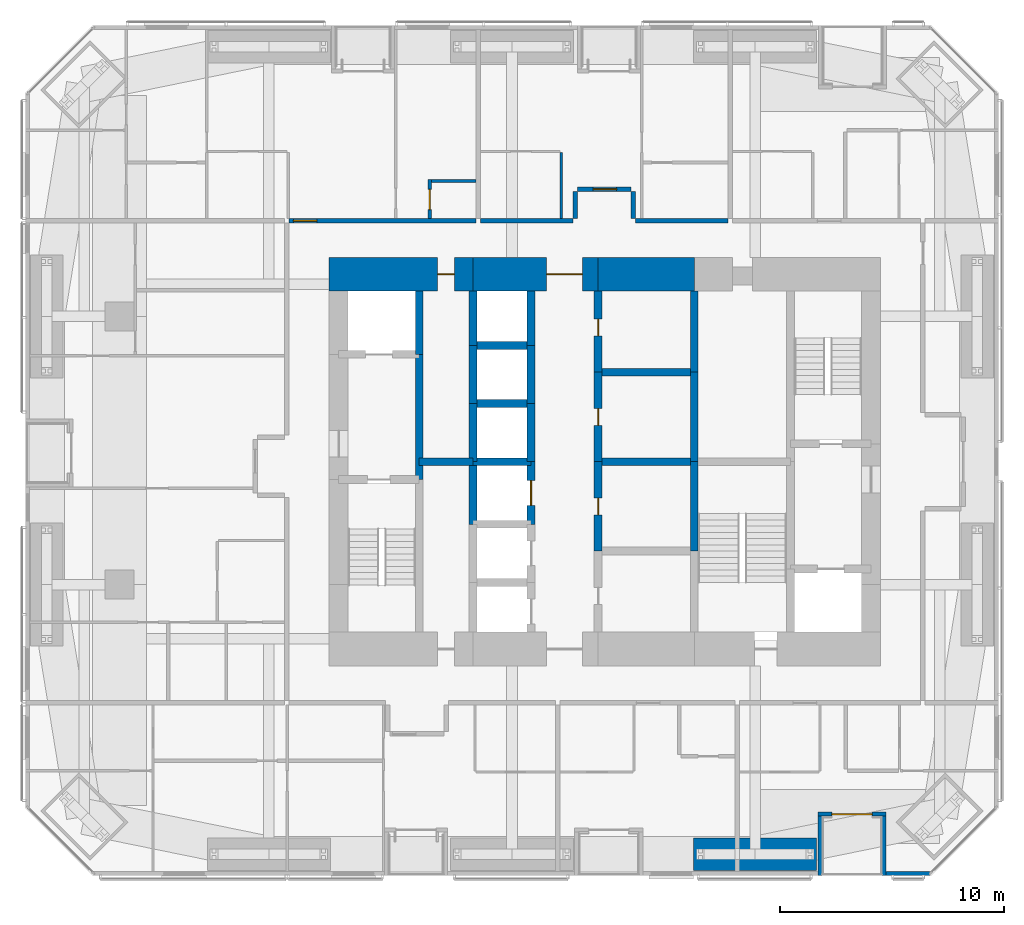
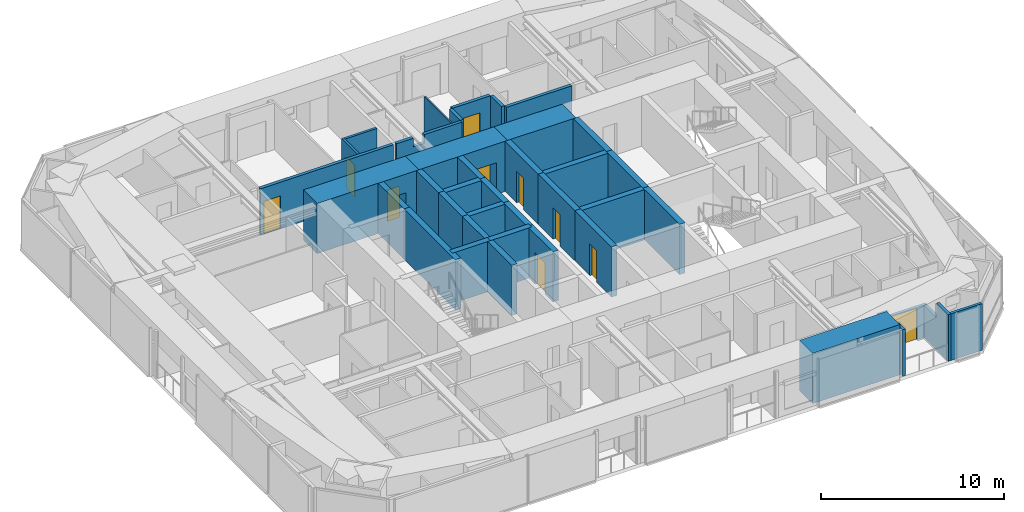
# One storey, part 19 of 23: 40 walls, 10 doors, 10 openings.
"""IFC4 building model written with IfcOpenShell, lengths in metres."""

from ifc_helpers import new_model, si_unit, direction, frame, frame_2d, origin, place, context, subcontext, project, spatial, polyline, rectangle, outline, extrude, material, layer, layer_set, constituent, constituent_set, type_object, element, fill, save


model = new_model("IFC4")

# Units and contexts
model_context = context("Model", 3, precision=1e-05, world=origin(), true_north=direction((0.0, 1.0)))
body_context = subcontext(model_context, "Body", "Model", "MODEL_VIEW")
ifc_project = project(units=[si_unit("LENGTHUNIT", "METRE"), si_unit("AREAUNIT", "SQUARE_METRE"), si_unit("VOLUMEUNIT", "CUBIC_METRE"), si_unit("PLANEANGLEUNIT", "RADIAN"), si_unit("MASSUNIT", "GRAM", prefix="KILO")], contexts=[model_context])

# Site, building, storey
site_placement = place(None, origin())
site = spatial("IfcSite", under=ifc_project, at=site_placement, CompositionType="ELEMENT")
building_placement = place(site_placement, origin())
building = spatial("IfcBuilding", under=site, at=building_placement, Name="Jalousie Tower", CompositionType="ELEMENT")
storey_placement = place(building_placement, frame((0.0, 0.0, 88.10009765625)))
storey = spatial("IfcBuildingStorey", under=building, at=storey_placement, Name="L23", CompositionType="ELEMENT", Elevation=88.10009765625)

# Wall, opening, door
ifc_material_1 = material(Name="Concrete block ASTM C90", Category="concrete")
ifc_constituent_1 = constituent(ifc_material_1, Name="Body")
ifc_material_2 = material(Name="Render")
ifc_constituent_2 = constituent(ifc_material_2, Name="Finish")
ifc_constituent_set_1 = constituent_set(constituents=[ifc_constituent_1, ifc_constituent_2])
wall_type_1 = type_object("IfcWallType", Name="BATHROOM WALL 150", PredefinedType="PLUMBINGWALL", material=ifc_constituent_set_1)
wall_1_placement = place(storey_placement, frame((24.074951171875, 29.375, 0.0), z_axis=(0.0, 0.0, 1.0), x_axis=(0.0, 1.0, 0.0)))
wall_1 = element("IfcWall", 1, at=wall_1_placement, inside=storey, type_object=wall_type_1, Name="Bathroom Wall 150 L23", PredefinedType="PLUMBINGWALL", context=body_context, shape_type="SweptSolid", body=[
    extrude(rectangle(XDim=1.75, YDim=0.14990234375, at=frame_2d((0.875, 0.0))), origin(), (0.0, 0.0, 1.0), 3.10986328125),
])
opening_1_placement = place(wall_1_placement, frame((0.39990234375, 0.0, 0.0)))
opening_1 = element("IfcOpeningElement", 2, at=opening_1_placement, cuts=wall_1, Name="Opening D7", PredefinedType="OPENING", context=body_context, shape_type="SweptSolid", body=[
    extrude(rectangle(XDim=0.89990234375, YDim=2.10009765625, at=frame_2d((0.449951171875, 1.050048828125))), frame((0.0, 0.0849609375, 0.0), z_axis=(0.0, -1.0, 0.0), x_axis=(1.0, 0.0, 0.0)), (0.0, 0.0, 1.0), 0.169921875),
])
ifc_material_3 = material(Name="Timber door", Category="wood")
door_type_1 = type_object("IfcDoorType", Name="INTERNAL DOOR 900", OperationType="SINGLE_SWING_LEFT", PredefinedType="DOOR", material=ifc_material_3)
door_1_placement = place(opening_1_placement, frame((0.89990234375, 0.0, 0.0), z_axis=(0.0, 0.0, 1.0), x_axis=(-1.0, 0.0, 0.0)))
door_1 = element("IfcDoor", 3, at=door_1_placement, inside=storey, type_object=door_type_1, Name="Apartment 2304 guest WC door", OperationType="SINGLE_SWING_LEFT", OverallHeight=2.10009765625, OverallWidth=0.89990234375, PredefinedType="DOOR", context=body_context, shape_type="SweptSolid", body=[
    extrude(rectangle(XDim=0.89990234375, YDim=2.10009765625, at=frame_2d((0.449951171875, 1.050048828125))), frame((0.0, 0.02490234375, 0.0), z_axis=(0.0, -1.0, 0.0), x_axis=(1.0, 0.0, 0.0)), (0.0, 0.0, 1.0), 0.050048828125),
])
fill(opening_1, door_1)

# Walls
wall_2_placement = place(storey_placement, frame((26.14990234375, 31.050048828125, 0.0), z_axis=(0.0, 0.0, 1.0), x_axis=(-1.0, 0.0, 0.0)))
element("IfcWall", 4, at=wall_2_placement, inside=storey, type_object=wall_type_1, Name="Bathroom Wall 150 L23", PredefinedType="PLUMBINGWALL", context=body_context, shape_type="SweptSolid", body=[
    extrude(rectangle(XDim=2.0, YDim=0.14990234375, at=frame_2d((1.0, 0.0))), origin(), (0.0, 0.0, 1.0), 3.10986328125),
])
ifc_material_4 = material(Name="Concrete f'c 120 MPa", Category="concrete")
ifc_layer_1 = layer(ifc_material_4, 1.5)
ifc_layer_set_1 = layer_set([ifc_layer_1], Name="Concrete f'c 120 MPa")
wall_type_2 = type_object("IfcWallType", Name="CORE WALL 1500", PredefinedType="SHEAR", material=ifc_layer_set_1)
wall_3_placement = place(storey_placement, frame((35.89990234375, 26.875, 0.0), z_axis=(0.0, 0.0, 1.0), x_axis=(-1.0, 0.0, 0.0)))
element("IfcWall", 5, at=wall_3_placement, inside=storey, type_object=wall_type_2, Name="Core wall NB L23", PredefinedType="SHEAR", context=body_context, shape_type="SweptSolid", body=[
    extrude(rectangle(XDim=4.2998046875, YDim=1.5, at=frame_2d((2.14990234375, 0.0))), origin(), (0.0, 0.0, 1.0), 3.349853515625),
])

# Wall, opening, door
wall_4_placement = place(storey_placement, frame((31.60009765625, 26.875, 0.0), z_axis=(0.0, 0.0, 1.0), x_axis=(-1.0, 0.0, 0.0)))
wall_4 = element("IfcWall", 6, at=wall_4_placement, inside=storey, type_object=wall_type_2, Name="Core wall NC L23", PredefinedType="SHEAR", context=body_context, shape_type="SweptSolid", body=[
    extrude(rectangle(XDim=5.60009765625, YDim=1.5, at=frame_2d((2.800048828125, 0.0))), origin(), (0.0, 0.0, 1.0), 3.349853515625),
])
opening_2_placement = place(wall_4_placement, frame((0.699951171875, 0.0, 0.0)))
opening_2 = element("IfcOpeningElement", 7, at=opening_2_placement, cuts=wall_4, Name="Opening D15", PredefinedType="OPENING", context=body_context, shape_type="SweptSolid", body=[
    extrude(rectangle(XDim=1.60009765625, YDim=2.10009765625, at=frame_2d((0.800048828125, 1.050048828125))), frame((0.0, 0.760009765625, 0.0), z_axis=(0.0, -1.0, 0.0), x_axis=(1.0, 0.0, 0.0)), (0.0, 0.0, 1.0), 1.52001953125),
])
ifc_material_5 = material(Name="Steel fire door", Category="steel")
door_type_2 = type_object("IfcDoorType", Name="LIFT LOBBY DOOR 1600", OperationType="DOUBLE_DOOR_SINGLE_SWING", PredefinedType="DOOR", material=ifc_material_5)
door_2_placement = place(opening_2_placement, origin())
door_2 = element("IfcDoor", 8, at=door_2_placement, inside=storey, type_object=door_type_2, Name="Lift lobby north door", OperationType="DOUBLE_DOOR_SINGLE_SWING", OverallHeight=2.10009765625, OverallWidth=1.60009765625, PredefinedType="DOOR", context=body_context, shape_type="SweptSolid", body=[
    extrude(rectangle(XDim=1.60009765625, YDim=2.10009765625, at=frame_2d((0.800048828125, 1.050048828125))), frame((0.0, 0.02490234375, 0.0), z_axis=(0.0, -1.0, 0.0), x_axis=(1.0, 0.0, 0.0)), (0.0, 0.0, 1.0), 0.050048828125),
])
fill(opening_2, door_2)

wall_5_placement = place(storey_placement, frame((26.0, 26.875, 0.0), z_axis=(0.0, 0.0, 1.0), x_axis=(-1.0, 0.0, 0.0)))
wall_5 = element("IfcWall", 9, at=wall_5_placement, inside=storey, type_object=wall_type_2, Name="Core wall ND L23", PredefinedType="SHEAR", context=body_context, shape_type="SweptSolid", body=[
    extrude(rectangle(XDim=6.425048828125, YDim=1.5, at=frame_2d((3.21240234375, 0.0))), origin(), (0.0, 0.0, 1.0), 3.349853515625),
])
opening_3_placement = place(wall_5_placement, frame((0.824951171875, 0.0, 0.0)))
opening_3 = element("IfcOpeningElement", 10, at=opening_3_placement, cuts=wall_5, Name="Opening D16", PredefinedType="OPENING", context=body_context, shape_type="SweptSolid", body=[
    extrude(rectangle(XDim=0.75, YDim=2.10009765625, at=frame_2d((0.375, 1.050048828125))), frame((0.0, 0.760009765625, 0.0), z_axis=(0.0, -1.0, 0.0), x_axis=(1.0, 0.0, 0.0)), (0.0, 0.0, 1.0), 1.52001953125),
])
ifc_material_6 = material(Name="Steel fire door", Category="steel")
door_type_3 = type_object("IfcDoorType", Name="RISER DOOR 750", OperationType="SINGLE_SWING_LEFT", PredefinedType="DOOR", material=ifc_material_6)
door_3_placement = place(opening_3_placement, origin())
door_3 = element("IfcDoor", 11, at=door_3_placement, inside=storey, type_object=door_type_3, Name="North riser door", OperationType="SINGLE_SWING_RIGHT", OverallHeight=2.10009765625, OverallWidth=0.75, PredefinedType="DOOR", context=body_context, shape_type="SweptSolid", body=[
    extrude(rectangle(XDim=0.75, YDim=2.10009765625, at=frame_2d((0.375, 1.050048828125))), frame((0.0, 0.02490234375, 0.0), z_axis=(0.0, -1.0, 0.0), x_axis=(1.0, 0.0, 0.0)), (0.0, 0.0, 1.0), 0.050048828125),
])
fill(opening_3, door_3)

# Walls
ifc_material_7 = material(Name="Concrete f'c 120 MPa", Category="concrete")
ifc_layer_2 = layer(ifc_material_7, 0.35009765625)
ifc_layer_set_2 = layer_set([ifc_layer_2], Name="Concrete f'c 120 MPa")
wall_type_3 = type_object("IfcWallType", Name="CORE WALL 350", PredefinedType="SHEAR", material=ifc_layer_set_2)
wall_6_placement = place(storey_placement, frame((23.60009765625, 17.699951171875, 0.0), z_axis=(0.0, 0.0, 1.0), x_axis=(0.0, 1.0, 0.0)))
element("IfcWall", 12, at=wall_6_placement, inside=storey, type_object=wall_type_3, Name="Core wall X23.6B L23", PredefinedType="SHEAR", context=body_context, shape_type="SweptSolid", body=[
    extrude(rectangle(XDim=5.60009765625, YDim=0.35009765625, at=frame_2d((2.800048828125, 0.0))), origin(), (0.0, 0.0, 1.0), 3.349853515625),
])
wall_7_placement = place(storey_placement, frame((23.60009765625, 23.300048828125, 0.0), z_axis=(0.0, 0.0, 1.0), x_axis=(0.0, 1.0, 0.0)))
element("IfcWall", 13, at=wall_7_placement, inside=storey, type_object=wall_type_3, Name="Core wall X23.6C L23", PredefinedType="SHEAR", context=body_context, shape_type="SweptSolid", body=[
    extrude(rectangle(XDim=2.824951171875, YDim=0.35009765625, at=frame_2d((1.41259765625, 0.0))), origin(), (0.0, 0.0, 1.0), 3.349853515625),
])
wall_8_placement = place(storey_placement, frame((26.0, 15.699951171875, 0.0), z_axis=(0.0, 0.0, 1.0), x_axis=(0.0, 1.0, 0.0)))
element("IfcWall", 14, at=wall_8_placement, inside=storey, type_object=wall_type_3, Name="Core wall X26C L23", PredefinedType="SHEAR", context=body_context, shape_type="SweptSolid", body=[
    extrude(rectangle(XDim=2.800048828125, YDim=0.35009765625, at=frame_2d((1.39990234375, 0.0))), origin(), (0.0, 0.0, 1.0), 3.349853515625),
])
wall_9_placement = place(storey_placement, frame((26.0, 18.5, 0.0), z_axis=(0.0, 0.0, 1.0), x_axis=(0.0, 1.0, 0.0)))
element("IfcWall", 15, at=wall_9_placement, inside=storey, type_object=wall_type_3, Name="Core wall X26D L23", PredefinedType="SHEAR", context=body_context, shape_type="SweptSolid", body=[
    extrude(rectangle(XDim=2.60009765625, YDim=0.35009765625, at=frame_2d((1.300048828125, 0.0))), origin(), (0.0, 0.0, 1.0), 3.349853515625),
])
wall_10_placement = place(storey_placement, frame((26.0, 21.10009765625, 0.0), z_axis=(0.0, 0.0, 1.0), x_axis=(0.0, 1.0, 0.0)))
element("IfcWall", 16, at=wall_10_placement, inside=storey, type_object=wall_type_3, Name="Core wall X26E L23", PredefinedType="SHEAR", context=body_context, shape_type="SweptSolid", body=[
    extrude(rectangle(XDim=2.599853515625, YDim=0.35009765625, at=frame_2d((1.2998046875, 0.0))), origin(), (0.0, 0.0, 1.0), 3.349853515625),
])
wall_11_placement = place(storey_placement, frame((26.0, 23.699951171875, 0.0), z_axis=(0.0, 0.0, 1.0), x_axis=(0.0, 1.0, 0.0)))
element("IfcWall", 17, at=wall_11_placement, inside=storey, type_object=wall_type_3, Name="Core wall X26F L23", PredefinedType="SHEAR", context=body_context, shape_type="SweptSolid", body=[
    extrude(rectangle(XDim=2.425048828125, YDim=0.35009765625, at=frame_2d((1.21240234375, 0.0))), origin(), (0.0, 0.0, 1.0), 3.349853515625),
])

# Wall, opening, door
wall_12_placement = place(storey_placement, frame((28.60009765625, 15.699951171875, 0.0), z_axis=(0.0, 0.0, 1.0), x_axis=(0.0, 1.0, 0.0)))
wall_12 = element("IfcWall", 18, at=wall_12_placement, inside=storey, type_object=wall_type_3, Name="Core wall X28.6C L23", PredefinedType="SHEAR", context=body_context, shape_type="SweptSolid", body=[
    extrude(rectangle(XDim=2.800048828125, YDim=0.35009765625, at=frame_2d((1.39990234375, 0.0))), origin(), (0.0, 0.0, 1.0), 3.349853515625),
])
opening_4_placement = place(wall_12_placement, frame((0.85009765625, 0.0, 0.0)))
opening_4 = element("IfcOpeningElement", 19, at=opening_4_placement, cuts=wall_12, Name="Opening LD1", PredefinedType="OPENING", context=body_context, shape_type="SweptSolid", body=[
    extrude(rectangle(XDim=1.10009765625, YDim=2.10009765625, at=frame_2d((0.550048828125, 1.050048828125))), frame((0.0, 0.18505859375, 0.0), z_axis=(0.0, -1.0, 0.0), x_axis=(1.0, 0.0, 0.0)), (0.0, 0.0, 1.0), 0.3701171875),
])
ifc_material_8 = material(Name="Steel lift landing door", Category="steel")
door_type_4 = type_object("IfcDoorType", Name="LIFT LANDING DOOR 1100", OperationType="SLIDING_TO_LEFT", PredefinedType="DOOR", material=ifc_material_8)
door_4_placement = place(opening_4_placement, origin())
door_4 = element("IfcDoor", 20, at=door_4_placement, inside=storey, type_object=door_type_4, Name="Lift P3 landing door", OperationType="SLIDING_TO_LEFT", OverallHeight=2.10009765625, OverallWidth=1.10009765625, PredefinedType="DOOR", context=body_context, shape_type="SweptSolid", body=[
    extrude(rectangle(XDim=1.10009765625, YDim=2.10009765625, at=frame_2d((0.550048828125, 1.050048828125))), frame((0.0, 0.02490234375, 0.0), z_axis=(0.0, -1.0, 0.0), x_axis=(1.0, 0.0, 0.0)), (0.0, 0.0, 1.0), 0.050048828125),
])
fill(opening_4, door_4)

# Walls
wall_13_placement = place(storey_placement, frame((28.60009765625, 18.5, 0.0), z_axis=(0.0, 0.0, 1.0), x_axis=(0.0, 1.0, 0.0)))
element("IfcWall", 21, at=wall_13_placement, inside=storey, type_object=wall_type_3, Name="Core wall X28.6D L23", PredefinedType="SHEAR", context=body_context, shape_type="SweptSolid", body=[
    extrude(rectangle(XDim=2.60009765625, YDim=0.35009765625, at=frame_2d((1.300048828125, 0.0))), origin(), (0.0, 0.0, 1.0), 3.349853515625),
])
wall_14_placement = place(storey_placement, frame((28.60009765625, 21.10009765625, 0.0), z_axis=(0.0, 0.0, 1.0), x_axis=(0.0, 1.0, 0.0)))
element("IfcWall", 22, at=wall_14_placement, inside=storey, type_object=wall_type_3, Name="Core wall X28.6E L23", PredefinedType="SHEAR", context=body_context, shape_type="SweptSolid", body=[
    extrude(rectangle(XDim=2.599853515625, YDim=0.35009765625, at=frame_2d((1.2998046875, 0.0))), origin(), (0.0, 0.0, 1.0), 3.349853515625),
])
wall_15_placement = place(storey_placement, frame((28.60009765625, 23.699951171875, 0.0), z_axis=(0.0, 0.0, 1.0), x_axis=(0.0, 1.0, 0.0)))
element("IfcWall", 23, at=wall_15_placement, inside=storey, type_object=wall_type_3, Name="Core wall X28.6F L23", PredefinedType="SHEAR", context=body_context, shape_type="SweptSolid", body=[
    extrude(rectangle(XDim=2.425048828125, YDim=0.35009765625, at=frame_2d((1.21240234375, 0.0))), origin(), (0.0, 0.0, 1.0), 3.349853515625),
])

# Wall, opening, door
wall_16_placement = place(storey_placement, frame((31.60009765625, 14.5, 0.0), z_axis=(0.0, 0.0, 1.0), x_axis=(0.0, 1.0, 0.0)))
wall_16 = element("IfcWall", 24, at=wall_16_placement, inside=storey, type_object=wall_type_3, Name="Core wall X31.6B L23", PredefinedType="SHEAR", context=body_context, shape_type="SweptSolid", body=[
    extrude(rectangle(XDim=4.0, YDim=0.35009765625, at=frame_2d((2.0, 0.0))), origin(), (0.0, 0.0, 1.0), 3.349853515625),
])
opening_5_placement = place(wall_16_placement, frame((1.625, 0.0, 0.0)))
opening_5 = element("IfcOpeningElement", 25, at=opening_5_placement, cuts=wall_16, Name="Opening D16", PredefinedType="OPENING", context=body_context, shape_type="SweptSolid", body=[
    extrude(rectangle(XDim=0.75, YDim=2.10009765625, at=frame_2d((0.375, 1.050048828125))), frame((0.0, 0.18505859375, 0.0), z_axis=(0.0, -1.0, 0.0), x_axis=(1.0, 0.0, 0.0)), (0.0, 0.0, 1.0), 0.3701171875),
])
door_5_placement = place(opening_5_placement, frame((0.75, 0.0, 0.0), z_axis=(0.0, 0.0, 1.0), x_axis=(-1.0, 0.0, 0.0)))
door_5 = element("IfcDoor", 26, at=door_5_placement, inside=storey, type_object=door_type_3, Name="Electrical Room door", OperationType="SINGLE_SWING_RIGHT", OverallHeight=2.10009765625, OverallWidth=0.75, PredefinedType="DOOR", context=body_context, shape_type="SweptSolid", body=[
    extrude(rectangle(XDim=0.75, YDim=2.10009765625, at=frame_2d((0.375, 1.050048828125))), frame((0.0, 0.02490234375, 0.0), z_axis=(0.0, -1.0, 0.0), x_axis=(1.0, 0.0, 0.0)), (0.0, 0.0, 1.0), 0.050048828125),
])
fill(opening_5, door_5)

wall_17_placement = place(storey_placement, frame((31.60009765625, 18.5, 0.0), z_axis=(0.0, 0.0, 1.0), x_axis=(0.0, 1.0, 0.0)))
wall_17 = element("IfcWall", 27, at=wall_17_placement, inside=storey, type_object=wall_type_3, Name="Core wall X31.6C L23", PredefinedType="SHEAR", context=body_context, shape_type="SweptSolid", body=[
    extrude(rectangle(XDim=4.0, YDim=0.35009765625, at=frame_2d((2.0, 0.0))), origin(), (0.0, 0.0, 1.0), 3.349853515625),
])
opening_6_placement = place(wall_17_placement, frame((1.625, 0.0, 0.0)))
opening_6 = element("IfcOpeningElement", 28, at=opening_6_placement, cuts=wall_17, Name="Opening D16", PredefinedType="OPENING", context=body_context, shape_type="SweptSolid", body=[
    extrude(rectangle(XDim=0.75, YDim=2.10009765625, at=frame_2d((0.375, 1.050048828125))), frame((0.0, 0.18505859375, 0.0), z_axis=(0.0, -1.0, 0.0), x_axis=(1.0, 0.0, 0.0)), (0.0, 0.0, 1.0), 0.3701171875),
])
door_6_placement = place(opening_6_placement, frame((0.75, 0.0, 0.0), z_axis=(0.0, 0.0, 1.0), x_axis=(-1.0, 0.0, 0.0)))
door_6 = element("IfcDoor", 29, at=door_6_placement, inside=storey, type_object=door_type_3, Name="Telecom Room door", OperationType="SINGLE_SWING_RIGHT", OverallHeight=2.10009765625, OverallWidth=0.75, PredefinedType="DOOR", context=body_context, shape_type="SweptSolid", body=[
    extrude(rectangle(XDim=0.75, YDim=2.10009765625, at=frame_2d((0.375, 1.050048828125))), frame((0.0, 0.02490234375, 0.0), z_axis=(0.0, -1.0, 0.0), x_axis=(1.0, 0.0, 0.0)), (0.0, 0.0, 1.0), 0.050048828125),
])
fill(opening_6, door_6)

wall_18_placement = place(storey_placement, frame((31.60009765625, 22.5, 0.0), z_axis=(0.0, 0.0, 1.0), x_axis=(0.0, 1.0, 0.0)))
wall_18 = element("IfcWall", 30, at=wall_18_placement, inside=storey, type_object=wall_type_3, Name="Core wall X31.6D L23", PredefinedType="SHEAR", context=body_context, shape_type="SweptSolid", body=[
    extrude(rectangle(XDim=3.625, YDim=0.35009765625, at=frame_2d((1.8125, 0.0))), origin(), (0.0, 0.0, 1.0), 3.349853515625),
])
opening_7_placement = place(wall_18_placement, frame((1.625, 0.0, 0.0)))
opening_7 = element("IfcOpeningElement", 31, at=opening_7_placement, cuts=wall_18, Name="Opening D16", PredefinedType="OPENING", context=body_context, shape_type="SweptSolid", body=[
    extrude(rectangle(XDim=0.75, YDim=2.10009765625, at=frame_2d((0.375, 1.050048828125))), frame((0.0, 0.18505859375, 0.0), z_axis=(0.0, -1.0, 0.0), x_axis=(1.0, 0.0, 0.0)), (0.0, 0.0, 1.0), 0.3701171875),
])
door_7_placement = place(opening_7_placement, frame((0.75, 0.0, 0.0), z_axis=(0.0, 0.0, 1.0), x_axis=(-1.0, 0.0, 0.0)))
door_7 = element("IfcDoor", 32, at=door_7_placement, inside=storey, type_object=door_type_3, Name="Water Services Room door", OperationType="SINGLE_SWING_LEFT", OverallHeight=2.10009765625, OverallWidth=0.75, PredefinedType="DOOR", context=body_context, shape_type="SweptSolid", body=[
    extrude(rectangle(XDim=0.75, YDim=2.10009765625, at=frame_2d((0.375, 1.050048828125))), frame((0.0, 0.02490234375, 0.0), z_axis=(0.0, -1.0, 0.0), x_axis=(1.0, 0.0, 0.0)), (0.0, 0.0, 1.0), 0.050048828125),
])
fill(opening_7, door_7)

# Walls
for number, where, z_axis, x_axis, name in (
    (33, (35.89990234375, 14.5, 0.0), (0.0, 0.0, 1.0), (0.0, 1.0, 0.0), "Core wall X35.9B L23"),
    (34, (35.89990234375, 18.5, 0.0), (0.0, 0.0, 1.0), (0.0, 1.0, 0.0), "Core wall X35.9C L23"),
):
    element("IfcWall", number, at=place(storey_placement, frame(where, z_axis=z_axis, x_axis=x_axis)), inside=storey, type_object=wall_type_3, Name=name, PredefinedType="SHEAR", context=body_context, shape_type="SweptSolid", body=[
        extrude(rectangle(XDim=4.0, YDim=0.35009765625, at=frame_2d((2.0, 0.0))), origin(), (0.0, 0.0, 1.0), 3.349853515625),
    ])
wall_19_placement = place(storey_placement, frame((35.89990234375, 22.5, 0.0), z_axis=(0.0, 0.0, 1.0), x_axis=(0.0, 1.0, 0.0)))
element("IfcWall", 35, at=wall_19_placement, inside=storey, type_object=wall_type_3, Name="Core wall X35.9D L23", PredefinedType="SHEAR", context=body_context, shape_type="SweptSolid", body=[
    extrude(rectangle(XDim=3.625, YDim=0.35009765625, at=frame_2d((1.8125, 0.0))), origin(), (0.0, 0.0, 1.0), 3.349853515625),
])
wall_20_placement = place(storey_placement, frame((23.60009765625, 18.5, 0.0), z_axis=(0.0, 0.0, 1.0), x_axis=(1.0, 0.0, 0.0)))
element("IfcWall", 36, at=wall_20_placement, inside=storey, type_object=wall_type_3, Name="Core wall Y23.6-18.5 L23", PredefinedType="SHEAR", context=body_context, shape_type="SweptSolid", body=[
    extrude(rectangle(XDim=2.39990234375, YDim=0.35009765625, at=frame_2d((1.199951171875, 0.0))), origin(), (0.0, 0.0, 1.0), 3.349853515625),
])
for number, where, z_axis, x_axis, name in (
    (37, (26.0, 18.5, 0.0), (0.0, 0.0, 1.0), (1.0, 0.0, 0.0), "Core wall Y26-18.5 L23"),
    (38, (26.0, 21.10009765625, 0.0), (0.0, 0.0, 1.0), (1.0, 0.0, 0.0), "Core wall Y26-21.1 L23"),
    (39, (26.0, 23.699951171875, 0.0), (0.0, 0.0, 1.0), (1.0, 0.0, 0.0), "Core wall Y26-23.7 L23"),
):
    element("IfcWall", number, at=place(storey_placement, frame(where, z_axis=z_axis, x_axis=x_axis)), inside=storey, type_object=wall_type_3, Name=name, PredefinedType="SHEAR", context=body_context, shape_type="SweptSolid", body=[
        extrude(rectangle(XDim=2.60009765625, YDim=0.35009765625, at=frame_2d((1.300048828125, 0.0))), origin(), (0.0, 0.0, 1.0), 3.349853515625),
    ])
for number, where, z_axis, x_axis, name in (
    (40, (31.60009765625, 18.5, 0.0), (0.0, 0.0, 1.0), (1.0, 0.0, 0.0), "Core wall Y31.6-18.5 L23"),
    (41, (31.60009765625, 22.5, 0.0), (0.0, 0.0, 1.0), (1.0, 0.0, 0.0), "Core wall Y31.6-22.5 L23"),
):
    element("IfcWall", number, at=place(storey_placement, frame(where, z_axis=z_axis, x_axis=x_axis)), inside=storey, type_object=wall_type_3, Name=name, PredefinedType="SHEAR", context=body_context, shape_type="SweptSolid", body=[
        extrude(rectangle(XDim=4.2998046875, YDim=0.35009765625, at=frame_2d((2.14990234375, 0.0))), origin(), (0.0, 0.0, 1.0), 3.349853515625),
    ])

# Wall, opening, door
ifc_material_9 = material(Name="Concrete block ASTM C90", Category="concrete")
ifc_constituent_3 = constituent(ifc_material_9, Name="Body")
ifc_material_10 = material(Name="Render")
ifc_constituent_4 = constituent(ifc_material_10, Name="Finish")
ifc_constituent_set_2 = constituent_set(constituents=[ifc_constituent_3, ifc_constituent_4])
wall_type_4 = type_object("IfcWallType", Name="CORRIDOR WALL 200", PredefinedType="PARTITIONING", material=ifc_constituent_set_2)
wall_21_placement = place(storey_placement, frame((17.77490234375, 29.27490234375, 0.0), z_axis=(0.0, 0.0, 1.0), x_axis=(1.0, 0.0, 0.0)))
wall_21 = element("IfcWall", 42, at=wall_21_placement, inside=storey, type_object=wall_type_4, Name="Corridor Wall 200 L23", PredefinedType="PARTITIONING", context=body_context, shape_type="SweptSolid", body=[
    extrude(rectangle(XDim=8.375, YDim=0.199951171875, at=frame_2d((4.1875, 0.0))), origin(), (0.0, 0.0, 1.0), 3.10986328125),
])
opening_8_placement = place(wall_21_placement, frame((0.199951171875, 0.0, 0.0)))
opening_8 = element("IfcOpeningElement", 43, at=opening_8_placement, cuts=wall_21, Name="Opening D1", PredefinedType="OPENING", context=body_context, shape_type="SweptSolid", body=[
    extrude(rectangle(XDim=1.050048828125, YDim=2.199951171875, at=frame_2d((0.52490234375, 1.10009765625))), frame((0.0, 0.10986328125, 0.0), z_axis=(0.0, -1.0, 0.0), x_axis=(1.0, 0.0, 0.0)), (0.0, 0.0, 1.0), 0.219970703125),
])
ifc_material_11 = material(Name="Timber fire door", Category="wood")
door_type_5 = type_object("IfcDoorType", Name="APARTMENT ENTRANCE DOOR 1050", OperationType="SINGLE_SWING_LEFT", PredefinedType="DOOR", material=ifc_material_11)
door_8_placement = place(opening_8_placement, origin())
door_8 = element("IfcDoor", 44, at=door_8_placement, inside=storey, type_object=door_type_5, Name="Apartment 2304 entrance", OperationType="SINGLE_SWING_LEFT", OverallHeight=2.199951171875, OverallWidth=1.050048828125, PredefinedType="DOOR", context=body_context, shape_type="SweptSolid", body=[
    extrude(rectangle(XDim=1.050048828125, YDim=2.199951171875, at=frame_2d((0.52490234375, 1.10009765625))), frame((0.0, 0.02490234375, 0.0), z_axis=(0.0, -1.0, 0.0), x_axis=(1.0, 0.0, 0.0)), (0.0, 0.0, 1.0), 0.050048828125),
])
fill(opening_8, door_8)

# Walls
wall_22_placement = place(storey_placement, frame((26.35009765625, 29.27490234375, 0.0), z_axis=(0.0, 0.0, 1.0), x_axis=(1.0, 0.0, 0.0)))
element("IfcWall", 45, at=wall_22_placement, inside=storey, type_object=wall_type_4, Name="Corridor Wall 200 L23", PredefinedType="PARTITIONING", context=body_context, shape_type="SweptSolid", body=[
    extrude(outline(polyline([(0.0, 0.0), (4.125, 0.0), (4.125, 3.10986328125), (1.74609375, 3.10986328125), (1.74609375, 2.53076171875), (1.0537109375, 2.53076171875), (1.0537109375, 3.10986328125), (0.0, 3.10986328125), (0.0, 0.0)])), frame((0.0, 0.10009765625, 0.0), z_axis=(0.0, -1.0, 0.0), x_axis=(1.0, 0.0, 0.0)), (0.0, 0.0, 1.0), 0.199951171875),
])
wall_23_placement = place(storey_placement, frame((33.27490234375, 29.27490234375, 0.0), z_axis=(0.0, 0.0, 1.0), x_axis=(1.0, 0.0, 0.0)))
element("IfcWall", 46, at=wall_23_placement, inside=storey, type_object=wall_type_4, Name="Corridor Wall 200 L23", PredefinedType="PARTITIONING", context=body_context, shape_type="SweptSolid", body=[
    extrude(rectangle(XDim=4.125, YDim=0.199951171875, at=frame_2d((2.0625, 0.0))), origin(), (0.0, 0.0, 1.0), 3.10986328125),
])

# Wall, opening, door
wall_24_placement = place(storey_placement, frame((30.675048828125, 30.675048828125, 0.0), z_axis=(0.0, 0.0, 1.0), x_axis=(1.0, 0.0, 0.0)))
wall_24 = element("IfcWall", 47, at=wall_24_placement, inside=storey, type_object=wall_type_4, Name="Corridor Wall 200 L23", PredefinedType="PARTITIONING", context=body_context, shape_type="SweptSolid", body=[
    extrude(rectangle(XDim=2.39990234375, YDim=0.199951171875, at=frame_2d((1.199951171875, 0.0))), origin(), (0.0, 0.0, 1.0), 3.10986328125),
])
opening_9_placement = place(wall_24_placement, frame((0.699951171875, 0.0, 0.0)))
opening_9 = element("IfcOpeningElement", 48, at=opening_9_placement, cuts=wall_24, Name="Opening D1", PredefinedType="OPENING", context=body_context, shape_type="SweptSolid", body=[
    extrude(rectangle(XDim=1.050048828125, YDim=2.199951171875, at=frame_2d((0.52490234375, 1.10009765625))), frame((0.0, 0.10986328125, 0.0), z_axis=(0.0, -1.0, 0.0), x_axis=(1.0, 0.0, 0.0)), (0.0, 0.0, 1.0), 0.219970703125),
])
door_9_placement = place(opening_9_placement, origin())
door_9 = element("IfcDoor", 49, at=door_9_placement, inside=storey, type_object=door_type_5, Name="Apartment 2305 entrance", OperationType="SINGLE_SWING_RIGHT", OverallHeight=2.199951171875, OverallWidth=1.050048828125, PredefinedType="DOOR", context=body_context, shape_type="SweptSolid", body=[
    extrude(rectangle(XDim=1.050048828125, YDim=2.199951171875, at=frame_2d((0.52490234375, 1.10009765625))), frame((0.0, 0.02490234375, 0.0), z_axis=(0.0, -1.0, 0.0), x_axis=(1.0, 0.0, 0.0)), (0.0, 0.0, 1.0), 0.050048828125),
])
fill(opening_9, door_9)

# Walls
for number, where, z_axis, x_axis, name in (
    (50, (30.574951171875, 29.375, 0.0), (0.0, 0.0, 1.0), (0.0, 1.0, 0.0), "Corridor Wall 200 L23"),
    (51, (33.175048828125, 29.375, 0.0), (0.0, 0.0, 1.0), (0.0, 1.0, 0.0), "Corridor Wall 200 L23"),
):
    element("IfcWall", number, at=place(storey_placement, frame(where, z_axis=z_axis, x_axis=x_axis)), inside=storey, type_object=wall_type_4, Name=name, PredefinedType="PARTITIONING", context=body_context, shape_type="SweptSolid", body=[
        extrude(rectangle(XDim=1.199951171875, YDim=0.199951171875, at=frame_2d((0.60009765625, 0.0))), origin(), (0.0, 0.0, 1.0), 3.10986328125),
    ])
ifc_material_12 = material(Name="Concrete f'c 40 MPa", Category="concrete")
ifc_constituent_5 = constituent(ifc_material_12, Name="Body")
ifc_material_13 = material(Name="Render, pastel sea green")
ifc_constituent_6 = constituent(ifc_material_13, Name="Finish")
ifc_constituent_set_3 = constituent_set(constituents=[ifc_constituent_5, ifc_constituent_6])
wall_type_5 = type_object("IfcWallType", Name="EXTERNAL WALL 175 SEA GREEN RENDER", PredefinedType="SOLIDWALL", material=ifc_constituent_set_3)
wall_25_placement = place(storey_placement, frame((44.47509765625, 0.08740234375, 0.0), z_axis=(0.0, 0.0, 1.0), x_axis=(1.0, 0.0, 0.0)))
element("IfcWall", 52, at=wall_25_placement, inside=storey, type_object=wall_type_5, Name="External Wall 175 Sea Green Render L23", PredefinedType="SOLIDWALL", context=body_context, shape_type="SweptSolid", body=[
    extrude(rectangle(XDim=1.9736328125, YDim=0.175048828125, at=frame_2d((0.98681640625, 0.0))), origin(), (0.0, 0.0, 1.0), 3.10986328125),
])
wall_26_placement = place(storey_placement, frame((41.425048828125, 2.737548828125, 0.0), z_axis=(0.0, 0.0, 1.0), x_axis=(1.0, 0.0, 0.0)))
element("IfcWall", 53, at=wall_26_placement, inside=storey, type_object=wall_type_5, Name="External Wall 175 Sea Green Render L23-A", PredefinedType="SOLIDWALL", context=body_context, shape_type="SweptSolid", body=[
    extrude(rectangle(XDim=0.625, YDim=0.175048828125, at=frame_2d((0.3125, 0.0))), origin(), (0.0, 0.0, 1.0), 2.510009765625),
])

# Wall, opening, door
wall_27_placement = place(storey_placement, frame((42.050048828125, 2.737548828125, 0.0), z_axis=(0.0, 0.0, 1.0), x_axis=(1.0, 0.0, 0.0)))
wall_27 = element("IfcWall", 54, at=wall_27_placement, inside=storey, type_object=wall_type_5, Name="External Wall 175 Sea Green Render L23-B", PredefinedType="SOLIDWALL", context=body_context, shape_type="SweptSolid", body=[
    extrude(rectangle(XDim=2.425048828125, YDim=0.175048828125, at=frame_2d((1.21240234375, 0.0))), origin(), (0.0, 0.0, 1.0), 2.14990234375),
])
opening_10_placement = place(wall_27_placement, origin())
opening_10 = element("IfcOpeningElement", 55, at=opening_10_placement, cuts=wall_27, Name="Opening D-BAL21", PredefinedType="OPENING", context=body_context, shape_type="SweptSolid", body=[
    extrude(rectangle(XDim=1.800048828125, YDim=2.10009765625, at=frame_2d((0.89990234375, 1.050048828125))), frame((0.0, 0.097412109375, 0.0), z_axis=(0.0, -1.0, 0.0), x_axis=(1.0, 0.0, 0.0)), (0.0, 0.0, 1.0), 0.195068359375),
])
ifc_material_14 = material(Name="Aluminium frame, impact-rated glazing", Category="aluminium")
door_type_6 = type_object("IfcDoorType", Name="BALCONY DOOR 1800x2100", OperationType="SLIDING_TO_LEFT", PredefinedType="DOOR", material=ifc_material_14)
door_10_placement = place(opening_10_placement, origin())
door_10 = element("IfcDoor", 56, at=door_10_placement, inside=storey, type_object=door_type_6, Name="Apartment 2303 living and dining room loggia door", OperationType="SLIDING_TO_LEFT", OverallHeight=2.10009765625, OverallWidth=1.800048828125, PredefinedType="DOOR", context=body_context, shape_type="SweptSolid", body=[
    extrude(rectangle(XDim=1.800048828125, YDim=2.10009765625, at=frame_2d((0.89990234375, 1.050048828125))), frame((0.0, 0.02490234375, 0.0), z_axis=(0.0, -1.0, 0.0), x_axis=(1.0, 0.0, 0.0)), (0.0, 0.0, 1.0), 0.050048828125),
])
fill(opening_10, door_10)

# Walls
wall_28_placement = place(storey_placement, frame((41.512451171875, 0.0, 0.0), z_axis=(0.0, 0.0, 1.0), x_axis=(0.0, 1.0, 0.0)))
element("IfcWall", 57, at=wall_28_placement, inside=storey, type_object=wall_type_5, Name="External Wall 175 Sea Green Render L23", PredefinedType="SOLIDWALL", context=body_context, shape_type="SweptSolid", body=[
    extrude(outline(polyline([(0.0, 0.0), (2.64990234375, 0.0), (2.64990234375, 2.510009765625), (2.373291015625, 2.510009765625), (2.373291015625, 2.14990234375), (0.70458984375, 2.14990234375), (0.70458984375, 3.10986328125), (0.0, 3.10986328125), (0.0, 0.0)])), frame((0.0, 0.08740234375, 0.0), z_axis=(0.0, -1.0, 0.0), x_axis=(1.0, 0.0, 0.0)), (0.0, 0.0, 1.0), 0.175048828125),
])
wall_29_placement = place(storey_placement, frame((44.387451171875, 0.0, 0.0), z_axis=(0.0, 0.0, 1.0), x_axis=(0.0, 1.0, 0.0)))
element("IfcWall", 58, at=wall_29_placement, inside=storey, type_object=wall_type_5, Name="External Wall 175 Sea Green Render L23", PredefinedType="SOLIDWALL", context=body_context, shape_type="SweptSolid", body=[
    extrude(outline(polyline([(0.0, 0.0), (2.64990234375, 0.0), (2.64990234375, 2.14990234375), (1.291015625, 2.14990234375), (1.291015625, 3.10986328125), (0.0, 3.10986328125), (0.0, 0.0)])), frame((0.0, 0.08740234375, 0.0), z_axis=(0.0, -1.0, 0.0), x_axis=(1.0, 0.0, 0.0)), (0.0, 0.0, 1.0), 0.175048828125),
])
ifc_material_15 = material(Name="Gypsum board", Category="gypsum")
ifc_constituent_7 = constituent(ifc_material_15, Name="Body")
ifc_material_16 = material(Name="Light-gauge steel studs ASTM A653 SS Grade 33", Category="steel")
ifc_constituent_8 = constituent(ifc_material_16, Name="Framing")
ifc_constituent_set_4 = constituent_set(constituents=[ifc_constituent_7, ifc_constituent_8])
wall_type_6 = type_object("IfcWallType", Name="PARTITION 100", PredefinedType="PARTITIONING", material=ifc_constituent_set_4)
wall_30_placement = place(storey_placement, frame((29.949951171875, 32.324951171875, 0.0), z_axis=(0.0, 0.0, 1.0), x_axis=(0.0, -1.0, 0.0)))
element("IfcWall", 59, at=wall_30_placement, inside=storey, type_object=wall_type_6, Name="Partition 100 L23", PredefinedType="PARTITIONING", context=body_context, shape_type="SweptSolid", body=[
    extrude(rectangle(XDim=2.949951171875, YDim=0.10009765625, at=frame_2d((1.47509765625, 0.0))), origin(), (0.0, 0.0, 1.0), 3.10986328125),
])
ifc_material_17 = material(Name="Concrete f'c 120 MPa", Category="concrete")
ifc_layer_3 = layer(ifc_material_17, 1.449951171875)
ifc_layer_set_3 = layer_set([ifc_layer_3], Name="Concrete f'c 120 MPa")
wall_type_7 = type_object("IfcWallType", Name="RC WALL PIER 1450", PredefinedType="SHEAR", material=ifc_layer_set_3)
wall_31_placement = place(storey_placement, frame((35.875, 0.949951171875, 0.0), z_axis=(0.0, 0.0, 1.0), x_axis=(1.0, 0.0, 0.0)))
element("IfcWall", 60, at=wall_31_placement, inside=storey, type_object=wall_type_7, Name="Wall pier 04 L23", PredefinedType="SHEAR", context=body_context, shape_type="SweptSolid", body=[
    extrude(rectangle(XDim=5.5, YDim=1.449951171875, at=frame_2d((2.75, 0.0))), origin(), (0.0, 0.0, 1.0), 3.349853515625),
])

save(model, "model.ifc")
